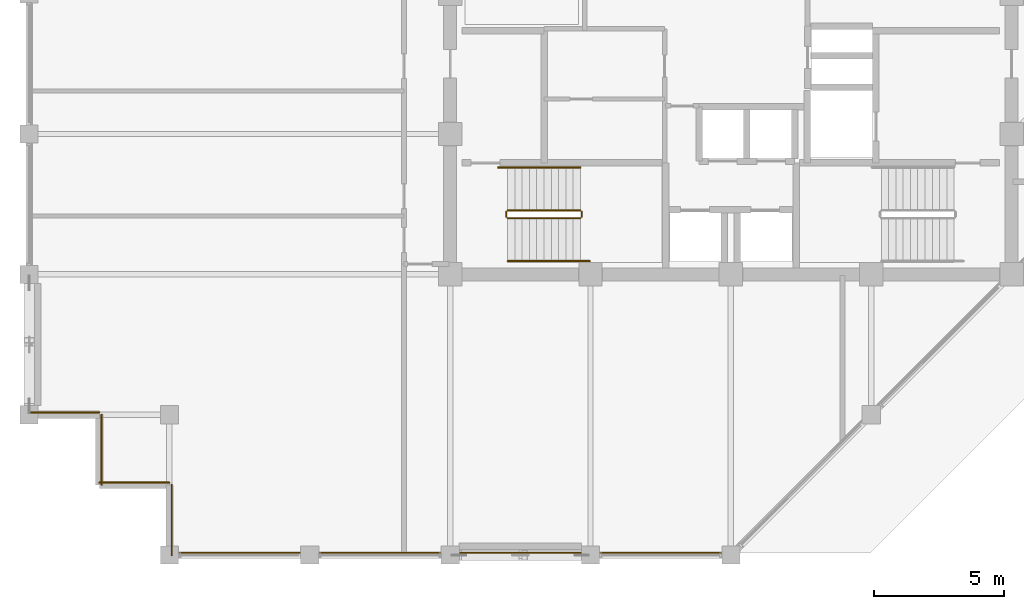
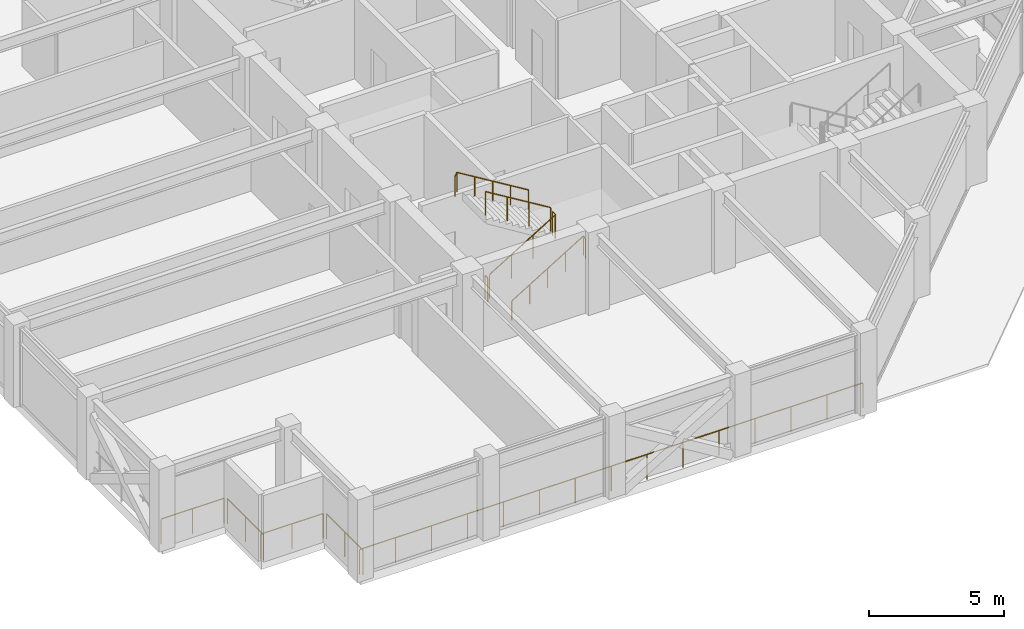
# One storey, part 29 of 34: 11 railings.
"""IFC4 building model written with IfcOpenShell, lengths in metres."""

from ifc_helpers import new_model, si_unit, direction, frame, origin, origin_2d, place, context, subcontext, project, spatial, circle, extrude, material, type_object, element, save


model = new_model("IFC4")

# Units and contexts
model_context = context("Model", 3, precision=1e-05, world=origin(), true_north=direction((0.0, 1.0)))
body_context = subcontext(model_context, "Body", "Model", "MODEL_VIEW")
ifc_project = project(units=[si_unit("LENGTHUNIT", "METRE"), si_unit("AREAUNIT", "SQUARE_METRE"), si_unit("VOLUMEUNIT", "CUBIC_METRE"), si_unit("PLANEANGLEUNIT", "RADIAN"), si_unit("MASSUNIT", "GRAM", prefix="KILO")], contexts=[model_context])

# Site, building, storey
site_placement = place(None, origin())
site = spatial("IfcSite", under=ifc_project, at=site_placement, CompositionType="ELEMENT")
building_placement = place(site_placement, origin())
building = spatial("IfcBuilding", under=site, at=building_placement, Name="Surkhivell Harbour Commons", CompositionType="ELEMENT")
storey_placement = place(building_placement, frame((0.0, 0.0, 258.75)))
storey = spatial("IfcBuildingStorey", under=building, at=storey_placement, Name="L67", CompositionType="ELEMENT", Elevation=258.75)

# Railings
ifc_material_1 = material(Name="Laminated safety glass and stainless steel S355 balustrade", Category="steel")
railing_type_1 = type_object("IfcRailingType", Name="RAL-BAL-1150", PredefinedType="BALUSTRADE", material=ifc_material_1)
railing_1_placement = place(storey_placement, frame((-21.60009765625, -21.510009765625, 0.0)))
element("IfcRailing", 1, at=railing_1_placement, inside=storey, type_object=railing_type_1, Name="L67 Perimeter Safety Guard 01", PredefinedType="BALUSTRADE", context=body_context, shape_type="SweptSolid", body=[
    extrude(circle(Radius=0.02392578125, at=origin_2d()), frame((0.0, 0.0, 1.1259765625), z_axis=(1.0, 0.0, 0.0), x_axis=(0.0, 1.0, 0.0)), (0.0, 0.0, 1.0), 21.60009765625),
    extrude(circle(Radius=0.02099609375, at=origin_2d()), origin(), (0.0, 0.0, 1.0), 1.101806640625),
    extrude(circle(Radius=0.02099609375, at=origin_2d()), frame((1.54296875, 0.0, 0.0)), (0.0, 0.0, 1.0), 1.101806640625),
    extrude(circle(Radius=0.02099609375, at=origin_2d()), frame((3.085693359375, 0.0, 0.0)), (0.0, 0.0, 1.0), 1.101806640625),
    extrude(circle(Radius=0.02099609375, at=origin_2d()), frame((4.628662109375, 0.0, 0.0)), (0.0, 0.0, 1.0), 1.101806640625),
    extrude(circle(Radius=0.02099609375, at=origin_2d()), frame((6.17138671875, 0.0, 0.0)), (0.0, 0.0, 1.0), 1.101806640625),
    extrude(circle(Radius=0.02099609375, at=origin_2d()), frame((7.71435546875, 0.0, 0.0)), (0.0, 0.0, 1.0), 1.101806640625),
    extrude(circle(Radius=0.02099609375, at=origin_2d()), frame((9.257080078125, 0.0, 0.0)), (0.0, 0.0, 1.0), 1.101806640625),
    extrude(circle(Radius=0.02099609375, at=origin_2d()), frame((10.800048828125, 0.0, 0.0)), (0.0, 0.0, 1.0), 1.101806640625),
    extrude(circle(Radius=0.02099609375, at=origin_2d()), frame((12.343017578125, 0.0, 0.0)), (0.0, 0.0, 1.0), 1.101806640625),
    extrude(circle(Radius=0.02099609375, at=origin_2d()), frame((13.8857421875, 0.0, 0.0)), (0.0, 0.0, 1.0), 1.101806640625),
    extrude(circle(Radius=0.02099609375, at=origin_2d()), frame((15.4287109375, 0.0, 0.0)), (0.0, 0.0, 1.0), 1.101806640625),
    extrude(circle(Radius=0.02099609375, at=origin_2d()), frame((16.971435546875, 0.0, 0.0)), (0.0, 0.0, 1.0), 1.101806640625),
    extrude(circle(Radius=0.02099609375, at=origin_2d()), frame((18.514404296875, 0.0, 0.0)), (0.0, 0.0, 1.0), 1.101806640625),
    extrude(circle(Radius=0.02099609375, at=origin_2d()), frame((20.05712890625, 0.0, 0.0)), (0.0, 0.0, 1.0), 1.101806640625),
    extrude(circle(Radius=0.02099609375, at=origin_2d()), frame((21.60009765625, 0.0, 0.0)), (0.0, 0.0, 1.0), 1.101806640625),
])
railing_2_placement = place(storey_placement, frame((-27.0, -16.110107421875, 0.0)))
element("IfcRailing", 2, at=railing_2_placement, inside=storey, type_object=railing_type_1, Name="L67 Perimeter Safety Guard 14", PredefinedType="BALUSTRADE", context=body_context, shape_type="SweptSolid", body=[
    extrude(circle(Radius=0.02392578125, at=origin_2d()), frame((0.0, 0.0, 1.1259765625), z_axis=(1.0, 0.0, 0.0), x_axis=(0.0, 1.0, 0.0)), (0.0, 0.0, 1.0), 2.699951171875),
    extrude(circle(Radius=0.02099609375, at=origin_2d()), origin(), (0.0, 0.0, 1.0), 1.101806640625),
    extrude(circle(Radius=0.02099609375, at=origin_2d()), frame((1.35009765625, 0.0, 0.0)), (0.0, 0.0, 1.0), 1.101806640625),
    extrude(circle(Radius=0.02099609375, at=origin_2d()), frame((2.699951171875, 0.0, 0.0)), (0.0, 0.0, 1.0), 1.101806640625),
])
railing_3_placement = place(storey_placement, frame((-24.2099609375, -16.199951171875, 0.0)))
element("IfcRailing", 3, at=railing_3_placement, inside=storey, type_object=railing_type_1, Name="L67 Perimeter Safety Guard 15", PredefinedType="BALUSTRADE", context=body_context, shape_type="SweptSolid", body=[
    extrude(circle(Radius=0.02392578125, at=origin_2d()), frame((0.0, 0.0, 1.1259765625), z_axis=(0.0, -1.0, 0.0), x_axis=(1.0, 0.0, 0.0)), (0.0, 0.0, 1.0), 2.699951171875),
    extrude(circle(Radius=0.02099609375, at=origin_2d()), origin(), (0.0, 0.0, 1.0), 1.101806640625),
    extrude(circle(Radius=0.02099609375, at=origin_2d()), frame((0.0, -1.35009765625, 0.0)), (0.0, 0.0, 1.0), 1.101806640625),
    extrude(circle(Radius=0.02099609375, at=origin_2d()), frame((0.0, -2.699951171875, 0.0)), (0.0, 0.0, 1.0), 1.101806640625),
])
railing_4_placement = place(storey_placement, frame((-24.300048828125, -18.81005859375, 0.0)))
element("IfcRailing", 4, at=railing_4_placement, inside=storey, type_object=railing_type_1, Name="L67 Perimeter Safety Guard 16", PredefinedType="BALUSTRADE", context=body_context, shape_type="SweptSolid", body=[
    extrude(circle(Radius=0.02392578125, at=origin_2d()), frame((0.0, 0.0, 1.1259765625), z_axis=(1.0, 0.0, 0.0), x_axis=(0.0, 1.0, 0.0)), (0.0, 0.0, 1.0), 2.699951171875),
    extrude(circle(Radius=0.02099609375, at=origin_2d()), origin(), (0.0, 0.0, 1.0), 1.101806640625),
    extrude(circle(Radius=0.02099609375, at=origin_2d()), frame((1.35009765625, 0.0, 0.0)), (0.0, 0.0, 1.0), 1.101806640625),
    extrude(circle(Radius=0.02099609375, at=origin_2d()), frame((2.699951171875, 0.0, 0.0)), (0.0, 0.0, 1.0), 1.101806640625),
])
railing_5_placement = place(storey_placement, frame((-21.510009765625, -18.89990234375, 0.0)))
element("IfcRailing", 5, at=railing_5_placement, inside=storey, type_object=railing_type_1, Name="L67 Perimeter Safety Guard 17", PredefinedType="BALUSTRADE", context=body_context, shape_type="SweptSolid", body=[
    extrude(circle(Radius=0.02392578125, at=origin_2d()), frame((0.0, 0.0, 1.1259765625), z_axis=(0.0, -1.0, 0.0), x_axis=(1.0, 0.0, 0.0)), (0.0, 0.0, 1.0), 2.7001953125),
    extrude(circle(Radius=0.02099609375, at=origin_2d()), origin(), (0.0, 0.0, 1.0), 1.101806640625),
    extrude(circle(Radius=0.02099609375, at=origin_2d()), frame((0.0, -1.35009765625, 0.0)), (0.0, 0.0, 1.0), 1.101806640625),
    extrude(circle(Radius=0.02099609375, at=origin_2d()), frame((0.0, -2.7001953125, 0.0)), (0.0, 0.0, 1.0), 1.101806640625),
])
ifc_material_2 = material(Name="Galvanised and painted steel S355 guard rail", Category="steel")
railing_type_2 = type_object("IfcRailingType", Name="RAL-ST-GRD1100", PredefinedType="GUARDRAIL", material=ifc_material_2)
railing_6_placement = place(storey_placement, frame((-8.590087890625, -8.639892578125, 0.17041015625)))
element("IfcRailing", 6, at=railing_6_placement, inside=storey, type_object=railing_type_2, Name="L67 ST3 stair guard 1", PredefinedType="GUARDRAIL", context=body_context, shape_type="SweptSolid", body=[
    extrude(circle(Radius=0.02392578125, at=origin_2d()), frame((0.0, 0.0, 1.076171875), z_axis=(0.854169791009, 0.0, 0.51999420009), x_axis=(0.0, 1.0, 0.0)), (0.0, 0.0, 1.0), 3.278076171875),
    extrude(circle(Radius=0.02099609375, at=origin_2d()), origin(), (0.0, 0.0, 1.0), 1.052001953125),
    extrude(circle(Radius=0.02099609375, at=origin_2d()), frame((0.933349609375, 0.0, 0.568115234375)), (0.0, 0.0, 1.0), 1.052001953125),
    extrude(circle(Radius=0.02099609375, at=origin_2d()), frame((1.86669921875, 0.0, 1.136474609375)), (0.0, 0.0, 1.0), 1.052001953125),
    extrude(circle(Radius=0.02099609375, at=origin_2d()), frame((2.800048828125, 0.0, 1.70458984375)), (0.0, 0.0, 1.0), 1.052001953125),
])
railing_7_placement = place(storey_placement, frame((-5.739990234375, -8.590087890625, 1.875)))
element("IfcRailing", 7, at=railing_7_placement, inside=storey, type_object=railing_type_2, Name="L67 ST3 stair guard 2", PredefinedType="GUARDRAIL", context=body_context, shape_type="SweptSolid", body=[
    extrude(circle(Radius=0.02392578125, at=origin_2d()), frame((0.0, 0.0, 1.076171875), z_axis=(0.0, 1.0, 0.0), x_axis=(-1.0, 0.0, 0.0)), (0.0, 0.0, 1.0), 0.2001953125),
    extrude(circle(Radius=0.02099609375, at=origin_2d()), origin(), (0.0, 0.0, 1.0), 1.052001953125),
    extrude(circle(Radius=0.02099609375, at=origin_2d()), frame((0.0, 0.2001953125, 0.0)), (0.0, 0.0, 1.0), 1.052001953125),
])
railing_8_placement = place(storey_placement, frame((-5.7900390625, -8.340087890625, 2.04541015625)))
element("IfcRailing", 8, at=railing_8_placement, inside=storey, type_object=railing_type_2, Name="L67 ST3 stair guard 3", PredefinedType="GUARDRAIL", context=body_context, shape_type="SweptSolid", body=[
    extrude(circle(Radius=0.02392578125, at=origin_2d()), frame((0.0, 0.0, 1.076171875), z_axis=(-0.854169791009, 0.0, 0.51999420009), x_axis=(0.0, -1.0, 0.0)), (0.0, 0.0, 1.0), 3.278076171875),
    extrude(circle(Radius=0.02099609375, at=origin_2d()), origin(), (0.0, 0.0, 1.0), 1.052001953125),
    extrude(circle(Radius=0.02099609375, at=origin_2d()), frame((-0.933349609375, 0.0, 0.568115234375)), (0.0, 0.0, 1.0), 1.052001953125),
    extrude(circle(Radius=0.02099609375, at=origin_2d()), frame((-1.86669921875, 0.0, 1.136474609375)), (0.0, 0.0, 1.0), 1.052001953125),
    extrude(circle(Radius=0.02099609375, at=origin_2d()), frame((-2.800048828125, 0.0, 1.70458984375)), (0.0, 0.0, 1.0), 1.052001953125),
])
railing_9_placement = place(storey_placement, frame((-8.639892578125, -8.590087890625, 0.0)))
element("IfcRailing", 9, at=railing_9_placement, inside=storey, type_object=railing_type_2, Name="L67 ST3 stair guard 4", PredefinedType="GUARDRAIL", context=body_context, shape_type="SweptSolid", body=[
    extrude(circle(Radius=0.02392578125, at=origin_2d()), frame((0.0, 0.0, 1.076171875), z_axis=(0.0, 1.0, 0.0), x_axis=(-1.0, 0.0, 0.0)), (0.0, 0.0, 1.0), 0.2001953125),
    extrude(circle(Radius=0.02099609375, at=origin_2d()), origin(), (0.0, 0.0, 1.0), 1.052001953125),
    extrude(circle(Radius=0.02099609375, at=origin_2d()), frame((0.0, 0.2001953125, 0.0)), (0.0, 0.0, 1.0), 1.052001953125),
])
ifc_material_3 = material(Name="Brushed stainless steel S355 handrail", Category="steel")
railing_type_3 = type_object("IfcRailingType", Name="RAL-ST-HND900", PredefinedType="HANDRAIL", material=ifc_material_3)
railing_10_placement = place(storey_placement, frame((-8.590087890625, -10.2900390625, 0.17041015625)))
element("IfcRailing", 10, at=railing_10_placement, inside=storey, type_object=railing_type_3, Name="L67 ST3 stair handrail 1", PredefinedType="HANDRAIL", context=body_context, shape_type="SweptSolid", body=[
    extrude(circle(Radius=0.02392578125, at=origin_2d()), frame((0.0, 0.0, 0.8759765625), z_axis=(0.854177636135, 0.0, 0.519981313056), x_axis=(0.0, 1.0, 0.0)), (0.0, 0.0, 1.0), 3.60595703125),
    extrude(circle(Radius=0.02392578125, at=origin_2d()), frame((3.080078125, 0.0, 2.7509765625), z_axis=(0.425297416671, 0.0, -0.905053648892), x_axis=(0.0, 1.0, 0.0)), (0.0, 0.0, 1.0), 0.188232421875),
    extrude(circle(Radius=0.02099609375, at=origin_2d()), origin(), (0.0, 0.0, 1.0), 0.851806640625),
    extrude(circle(Radius=0.02099609375, at=origin_2d()), frame((0.77001953125, 0.0, 0.46875)), (0.0, 0.0, 1.0), 0.851806640625),
    extrude(circle(Radius=0.02099609375, at=origin_2d()), frame((1.5400390625, 0.0, 0.9375)), (0.0, 0.0, 1.0), 0.851806640625),
    extrude(circle(Radius=0.02099609375, at=origin_2d()), frame((2.31005859375, 0.0, 1.40625)), (0.0, 0.0, 1.0), 0.851806640625),
    extrude(circle(Radius=0.02099609375, at=origin_2d()), frame((3.080078125, 0.0, 1.875)), (0.0, 0.0, 1.0), 0.851806640625),
    extrude(circle(Radius=0.02099609375, at=origin_2d()), frame((3.16015625, 0.0, 1.70458984375)), (0.0, 0.0, 1.0), 0.851806640625),
])
railing_11_placement = place(storey_placement, frame((-5.7900390625, -6.68994140625, 2.04541015625)))
element("IfcRailing", 11, at=railing_11_placement, inside=storey, type_object=railing_type_3, Name="L67 ST3 stair handrail 2", PredefinedType="HANDRAIL", context=body_context, shape_type="SweptSolid", body=[
    extrude(circle(Radius=0.02392578125, at=origin_2d()), frame((0.0, 0.0, 0.8759765625), z_axis=(-0.854177636135, 0.0, 0.519981313056), x_axis=(0.0, -1.0, 0.0)), (0.0, 0.0, 1.0), 3.60595703125),
    extrude(circle(Radius=0.02392578125, at=origin_2d()), frame((-3.080078125, 0.0, 2.7509765625), z_axis=(-0.424234432967, 0.0, -0.905552398199), x_axis=(0.0, -1.0, 0.0)), (0.0, 0.0, 1.0), 0.188232421875),
    extrude(circle(Radius=0.02099609375, at=origin_2d()), origin(), (0.0, 0.0, 1.0), 0.851806640625),
    extrude(circle(Radius=0.02099609375, at=origin_2d()), frame((-0.77001953125, 0.0, 0.46875)), (0.0, 0.0, 1.0), 0.851806640625),
    extrude(circle(Radius=0.02099609375, at=origin_2d()), frame((-1.5400390625, 0.0, 0.9375)), (0.0, 0.0, 1.0), 0.851806640625),
    extrude(circle(Radius=0.02099609375, at=origin_2d()), frame((-2.31005859375, 0.0, 1.40625)), (0.0, 0.0, 1.0), 0.851806640625),
    extrude(circle(Radius=0.02099609375, at=origin_2d()), frame((-3.080078125, 0.0, 1.875)), (0.0, 0.0, 1.0), 0.851806640625),
    extrude(circle(Radius=0.02099609375, at=origin_2d()), frame((-3.159912109375, 0.0, 1.70458984375)), (0.0, 0.0, 1.0), 0.851806640625),
])

save(model, "model.ifc")
